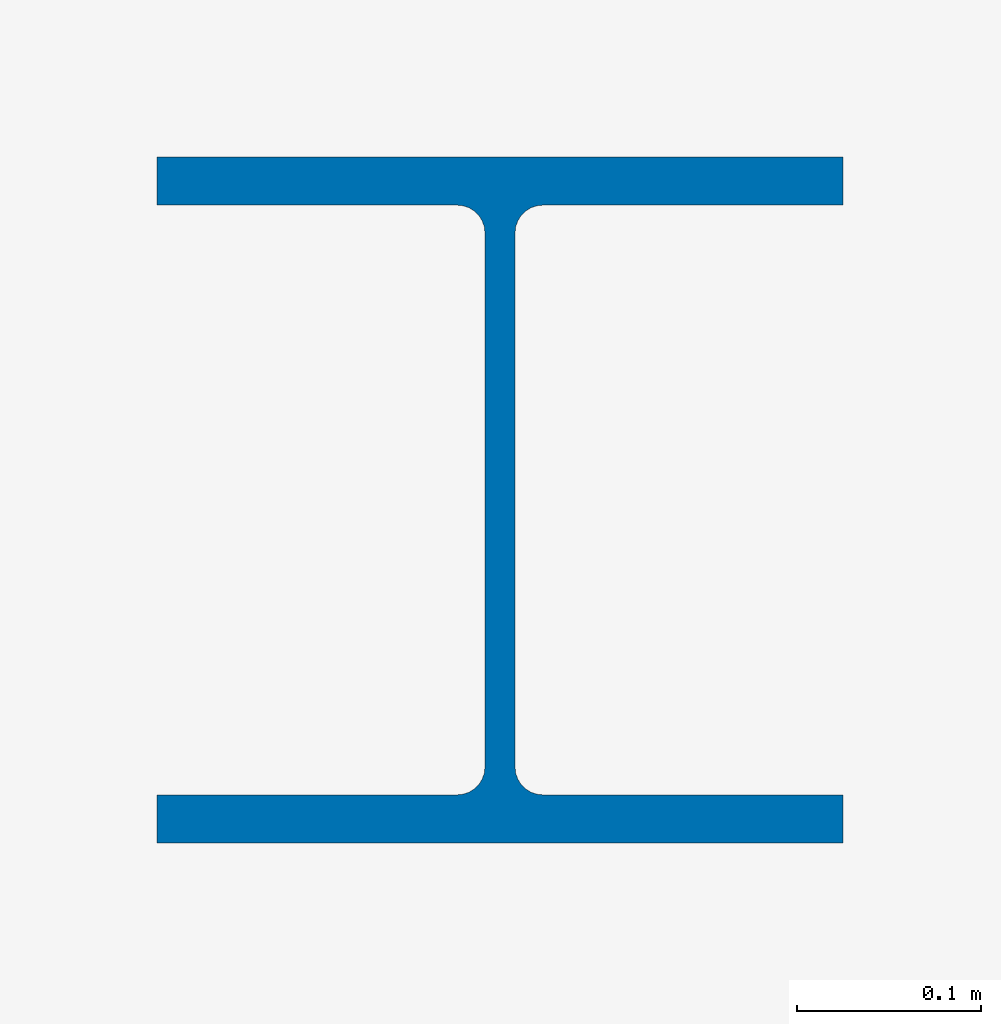
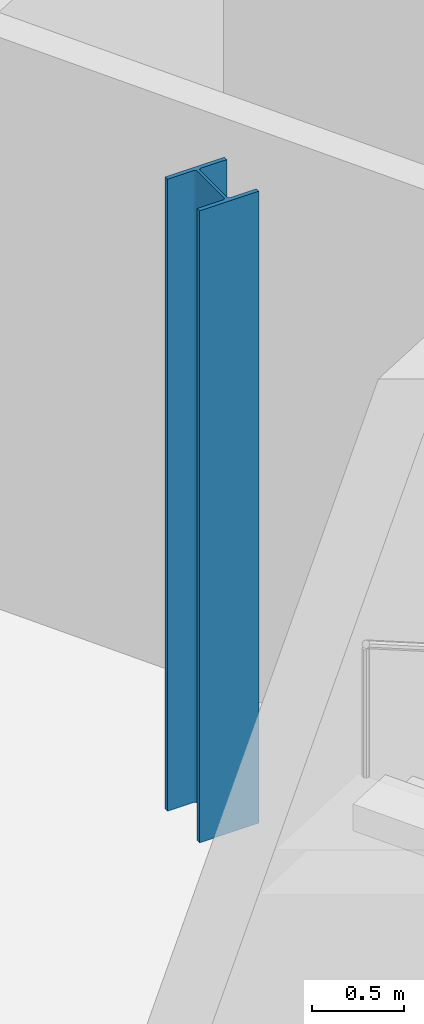
# One storey, part 1 of 12: 1 column.
"""IFC4 building model written with IfcOpenShell, lengths in metres."""

from ifc_helpers import new_model, si_unit, direction, frame, origin, origin_2d, place, context, subcontext, project, spatial, i_section, extrude, material, material_profile, profile_set, type_object, element, save


model = new_model("IFC4")

# Units and contexts
model_context = context("Model", 3, precision=1e-05, world=origin(), true_north=direction((0.0, 1.0)))
body_context = subcontext(model_context, "Body", "Model", "MODEL_VIEW")
ifc_project = project(units=[si_unit("LENGTHUNIT", "METRE"), si_unit("AREAUNIT", "SQUARE_METRE"), si_unit("VOLUMEUNIT", "CUBIC_METRE"), si_unit("PLANEANGLEUNIT", "RADIAN"), si_unit("MASSUNIT", "GRAM", prefix="KILO")], contexts=[model_context])

# Site, building, storey
site_placement = place(None, origin())
site = spatial("IfcSite", under=ifc_project, at=site_placement, CompositionType="ELEMENT")
building_placement = place(site_placement, origin())
building = spatial("IfcBuilding", under=site, at=building_placement, Name="Cormorant Relay Tower", CompositionType="ELEMENT")
storey_placement = place(building_placement, frame((0.0, 0.0, 349.199951171875)))
storey = spatial("IfcBuildingStorey", under=building, at=storey_placement, Name="C6", CompositionType="ELEMENT", Elevation=349.199951171875)

# Column
ifc_material = material(Name="Steel ASTM A992 (Fy 345 MPa)", Category="steel")
ifc_material_profile = material_profile(ifc_material, i_section(OverallWidth=0.373291015625, OverallDepth=0.373291015625, WebThickness=0.016357421875, FlangeThickness=0.026123046875, FilletRadius=0.01513671875, at=origin_2d()), Name="W360x196")
ifc_profile_set = profile_set([ifc_material_profile], Name="Steel ASTM A992 (Fy 345 MPa)")
column_type = type_object("IfcColumnType", Name="Column W360x196", PredefinedType="COLUMN", material=ifc_profile_set)
column_placement = place(storey_placement, frame((-51.68994140625, 15.251953125, 0.0), z_axis=(0.0, 0.0, 1.0), x_axis=(1.0, 0.0, 0.0)))
element("IfcColumn", 1, at=column_placement, inside=storey, type_object=column_type, Name="Column C6-003", PredefinedType="COLUMN", context=body_context, shape_type="SweptSolid", body=[
    extrude(i_section(OverallWidth=0.373291015625, OverallDepth=0.373291015625, WebThickness=0.016357421875, FlangeThickness=0.026123046875, FilletRadius=0.01513671875, at=origin_2d()), origin(), (0.0, 0.0, 1.0), 4.199951171875),
])

save(model, "model.ifc")
